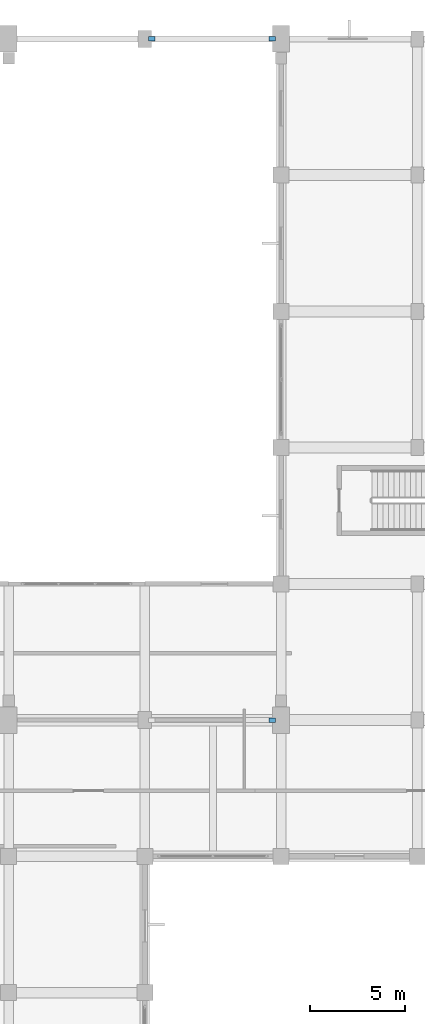
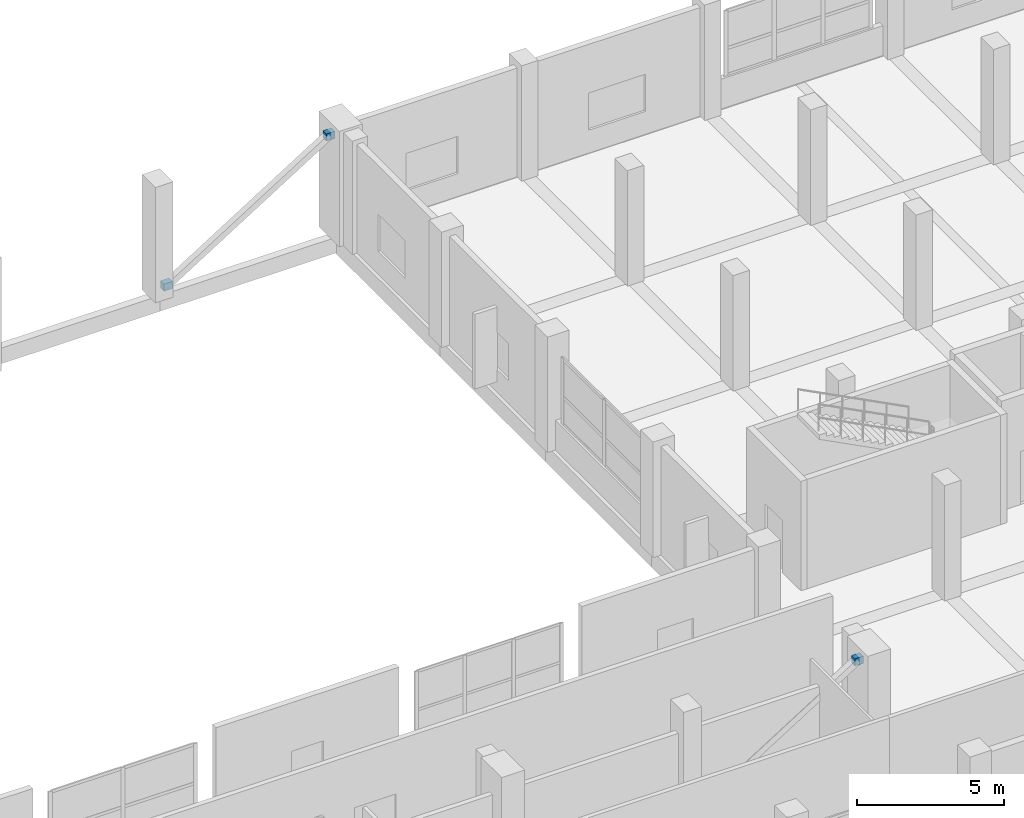
# One storey, part 153 of 181: 3 plates.
"""IFC4 building model written with IfcOpenShell, lengths in metres."""

import ifcopenshell
import ifcopenshell.guid

model = None  # the IFC model being written
_history = None  # IfcOwnerHistory: only IFC2X3 demands one
_inside = {}  # id of a spatial element -> (the spatial element, [elements in it])
_under = {}  # id of a project, library or spatial element -> (it, [spatial elements below it])
_declared = {}  # id of a project -> (the project, [libraries it declares])
_typed = {}  # id of a type object -> (the type object, [elements of that type])
_made_of = {}  # id of a material, layer set ... -> (it, [elements and type objects made of it])


def new_model(schema):
    """Start an empty IFC model of exactly this schema.

    Asked for "IFC4X3", IfcOpenShell would pick the latest addendum, in which some entities
    have other attributes; the version numbers below select the first issue.
    IFC2X3 requires an IfcOwnerHistory on every rooted entity: one is made here for all.
    """
    global model, _history
    if schema == "IFC4X3":
        model = ifcopenshell.file(schema_version=(4, 3, 0, 0))
    else:
        model = ifcopenshell.file(schema=schema)
    _inside.clear()
    _under.clear()
    _declared.clear()
    _typed.clear()
    _made_of.clear()
    _history = None
    if model.schema == "IFC2X3":
        org = make("IfcOrganization", Name="unknown")
        user = make(
            "IfcPersonAndOrganization",
            ThePerson=make("IfcPerson", FamilyName="unknown"),
            TheOrganization=org,
        )
        app = make(
            "IfcApplication",
            ApplicationDeveloper=org,
            Version="unknown",
            ApplicationFullName="unknown",
            ApplicationIdentifier="unknown",
        )
        _history = make(
            "IfcOwnerHistory",
            OwningUser=user,
            OwningApplication=app,
            ChangeAction="ADDED",
            CreationDate=0,
        )
    return model


def make(cls, **values):
    """One entity of the class cls with the attributes given. An attribute that is None is left unset."""
    return model.create_entity(
        cls, **{name: value for name, value in values.items() if value is not None}
    )


def rooted(cls, **values):
    """An entity with a GlobalId (a new one), such as an element, a storey or a relation."""
    return make(cls, GlobalId=ifcopenshell.guid.new(), OwnerHistory=_history, **values)


def si_unit(unit_type, name, prefix=None):
    """IfcSIUnit, for example si_unit("LENGTHUNIT", "METRE", prefix="MILLI")."""
    return make("IfcSIUnit", UnitType=unit_type, Prefix=prefix, Name=name)


def assignment(units):
    """IfcUnitAssignment: the units of a project."""
    return None if units is None else make("IfcUnitAssignment", Units=units)


def point(xyz):
    """IfcCartesianPoint."""
    return None if xyz is None else make("IfcCartesianPoint", Coordinates=xyz)


def direction(xyz):
    """IfcDirection."""
    return None if xyz is None else make("IfcDirection", DirectionRatios=xyz)


def frame(location, z_axis=None, x_axis=None):
    """IfcAxis2Placement3D, a coordinate frame: its origin and axes. An axis left out is left unset."""
    return make(
        "IfcAxis2Placement3D",
        Location=point(location),
        Axis=direction(z_axis),
        RefDirection=direction(x_axis),
    )


def frame_2d(location, x_axis=None):
    """IfcAxis2Placement2D, a coordinate frame in the plane: its origin and x axis."""
    return make(
        "IfcAxis2Placement2D", Location=point(location), RefDirection=direction(x_axis)
    )


def origin():
    """The frame at (0, 0, 0) with its axes left unset."""
    return frame((0.0, 0.0, 0.0))


def origin_2d():
    """The frame at (0, 0) in the plane with its x axis left unset."""
    return frame_2d((0.0, 0.0))


def place(relative_to, where):
    """IfcLocalPlacement: puts the frame where relative to a parent placement (None: the world)."""
    return make(
        "IfcLocalPlacement", PlacementRelTo=relative_to, RelativePlacement=where
    )


def context(
    kind, dimensions, precision=None, world=None, true_north=None, identifier=None
):
    """IfcGeometricRepresentationContext, for example the 3D "Model" context."""
    return make(
        "IfcGeometricRepresentationContext",
        ContextIdentifier=identifier,
        ContextType=kind,
        CoordinateSpaceDimension=dimensions,
        Precision=precision,
        WorldCoordinateSystem=world,
        TrueNorth=true_north,
    )


def subcontext(parent, identifier, kind, view, scale=None):
    """IfcGeometricRepresentationSubContext, for example "Body" below "Model"."""
    return make(
        "IfcGeometricRepresentationSubContext",
        ContextIdentifier=identifier,
        ContextType=kind,
        ParentContext=parent,
        TargetScale=scale,
        TargetView=view,
    )


def project(units=None, contexts=None):
    """IfcProject with its units and contexts."""
    return rooted(
        "IfcProject",
        Name="project",
        RepresentationContexts=contexts,
        UnitsInContext=assignment(units),
    )


def spatial(cls, under=None, at=None, **own):
    """A site, building, storey or space (cls), placed at a placement, below another one or the project."""
    s = rooted(cls, ObjectPlacement=at, **own)
    if under is not None:
        _under.setdefault(under.id(), (under, []))[1].append(s)
    return s


def profile(cls, at=None, kind="AREA", **sizes):
    """A parametric profile (cls). Its sizes go by their IFC names, for example OverallWidth=200.0."""
    return make(cls, ProfileType=kind, Position=at, **sizes)


def rectangle(**sizes):
    """IfcRectangleProfileDef."""
    return profile("IfcRectangleProfileDef", **sizes)


def extrude(swept, where, along, depth):
    """IfcExtrudedAreaSolid: the profile swept, set in the frame where, extruded along a direction by depth."""
    return make(
        "IfcExtrudedAreaSolid",
        SweptArea=swept,
        Position=where,
        ExtrudedDirection=direction(along),
        Depth=depth,
    )


def shape(context_of_items, identifier, shape_type, items):
    """IfcShapeRepresentation: the items that make up one representation, for example the "Body"."""
    return make(
        "IfcShapeRepresentation",
        ContextOfItems=context_of_items,
        RepresentationIdentifier=identifier,
        RepresentationType=shape_type,
        Items=items,
    )


def material(Name=None, Category=None):
    """IfcMaterial."""
    return make("IfcMaterial", Name=Name, Category=Category)


def layer(
    of_material, thickness, ventilated=None, Name=None, Category=None, Priority=None
):
    """IfcMaterialLayer: one layer of a wall or slab, of a material (None: an air gap)."""
    return make(
        "IfcMaterialLayer",
        Material=of_material,
        LayerThickness=thickness,
        IsVentilated=ventilated,
        Name=Name,
        Category=Category,
        Priority=Priority,
    )


def layer_set(layers, Name=None):
    """IfcMaterialLayerSet."""
    return make("IfcMaterialLayerSet", MaterialLayers=layers, LayerSetName=Name)


def made_of(thing, what):
    """Note that an element or type object is made of a material, layer set ...; save() writes the relation."""
    if what is not None:
        _made_of.setdefault(what.id(), (what, []))[1].append(thing)
    return thing


def type_object(cls, material=None, **own):
    """A type object (cls), such as IfcWallType, which elements share."""
    return made_of(rooted(cls, **own), material)


def element(
    cls,
    number,
    at=None,
    inside=None,
    cuts=None,
    type_object=None,
    material=None,
    context=None,
    identifier="Body",
    shape_type=None,
    held_by="IfcProductDefinitionShape",
    body=None,
    shapes=None,
    **own,
):
    """One element of the class cls, such as IfcWall. Its Tag is "e" and its number.

    at: its placement. inside: the storey or other place that contains it. cuts: it is an
    opening in that element (IfcRelVoidsElement). A single representation is given by context,
    identifier, shape_type and body (its items); several are given by shapes. held_by: the class
    of the entity that holds the representations. save() writes the other relations.
    """
    e = rooted(cls, Tag="e%d" % number, ObjectPlacement=at, **own)
    if body is not None:
        shapes = [shape(context, identifier, shape_type, body)]
    if shapes is not None:
        e.Representation = make(held_by, Representations=shapes)
    if inside is not None:
        _inside.setdefault(inside.id(), (inside, []))[1].append(e)
    if cuts is not None:
        rooted(
            "IfcRelVoidsElement", RelatingBuildingElement=cuts, RelatedOpeningElement=e
        )
    if type_object is not None:
        _typed.setdefault(type_object.id(), (type_object, []))[1].append(e)
    return made_of(e, material)


def aggregate(whole, parts):
    """IfcRelAggregates: a whole, such as a stair, and the parts it consists of."""
    return rooted("IfcRelAggregates", RelatingObject=whole, RelatedObjects=parts)


def save(model, path):
    """Write the relations noted so far, then the file.

    IfcRelAggregates (storeys below a building ...), IfcRelContainedInSpatialStructure (elements
    in a storey), IfcRelDefinesByType, IfcRelAssociatesMaterial and IfcRelDeclares: one each for
    every whole, place, type object, material and project.
    """
    for whole, parts in _under.values():
        aggregate(whole, parts)
    for where, things in _inside.values():
        rooted(
            "IfcRelContainedInSpatialStructure",
            RelatedElements=things,
            RelatingStructure=where,
        )
    for kind, things in _typed.values():
        rooted("IfcRelDefinesByType", RelatedObjects=things, RelatingType=kind)
    for what, things in _made_of.values():
        rooted("IfcRelAssociatesMaterial", RelatedObjects=things, RelatingMaterial=what)
    for by, libraries in _declared.values():
        rooted("IfcRelDeclares", RelatingContext=by, RelatedDefinitions=libraries)
    model.write(path)


model = new_model("IFC4")

# Units and contexts
model_context = context("Model", 3, precision=1e-05, world=origin(), true_north=direction((0.0, 1.0)))
body_context = subcontext(model_context, "Body", "Model", "MODEL_VIEW")
ifc_project = project(units=[si_unit("LENGTHUNIT", "METRE"), si_unit("AREAUNIT", "SQUARE_METRE"), si_unit("VOLUMEUNIT", "CUBIC_METRE"), si_unit("PLANEANGLEUNIT", "RADIAN"), si_unit("MASSUNIT", "GRAM", prefix="KILO")], contexts=[model_context])

# Site, building, storey
site_placement = place(None, origin())
site = spatial("IfcSite", under=ifc_project, at=site_placement, CompositionType="ELEMENT")
building_placement = place(site_placement, origin())
building = spatial("IfcBuilding", under=site, at=building_placement, Name="Seraya Terrace Polytechnic", CompositionType="ELEMENT")
storey_placement = place(building_placement, frame((0.0, 0.0, 4.800048828125)))
storey = spatial("IfcBuildingStorey", under=building, at=storey_placement, Name="L01", CompositionType="ELEMENT", Elevation=4.800048828125)

# Plates
ifc_material = material(Name="Steel S355J2", Category="steel")
ifc_layer = layer(ifc_material, 0.300048828125, Name="EP-04")
ifc_layer_set = layer_set([ifc_layer], Name="Steel S355J2")
plate_type = type_object("IfcPlateType", Name="EP-04", PredefinedType="USERDEFINED", material=ifc_layer_set)
for number, where, z_axis, x_axis, name in (
    (1, (114.74169921875, 79.199951171875, 4.10400390625), (0.0, 0.0, 1.0), (1.0, 0.0, 0.0), "Hollow end-cap plate VBR-L01-SE end"),
    (2, (108.358154296875, 115.199951171875, 0.095703125), (0.0, 0.0, 1.0), (1.0, 0.0, 0.0), "Hollow end-cap plate VBR-L01-NE start"),
    (3, (114.74169921875, 115.199951171875, 4.10400390625), (0.0, 0.0, 1.0), (1.0, 0.0, 0.0), "Hollow end-cap plate VBR-L01-NE end"),
):
    element("IfcPlate", number, at=place(storey_placement, frame(where, z_axis=z_axis, x_axis=x_axis)), inside=storey, type_object=plate_type, Name=name, ObjectType="FLANGE_PLATE", PredefinedType="USERDEFINED", context=body_context, shape_type="SweptSolid", body=[
        extrude(rectangle(XDim=0.340087890625, YDim=0.239990234375, at=origin_2d()), origin(), (0.0, 0.0, 1.0), 0.300048828125),
    ])

save(model, "model.ifc")
